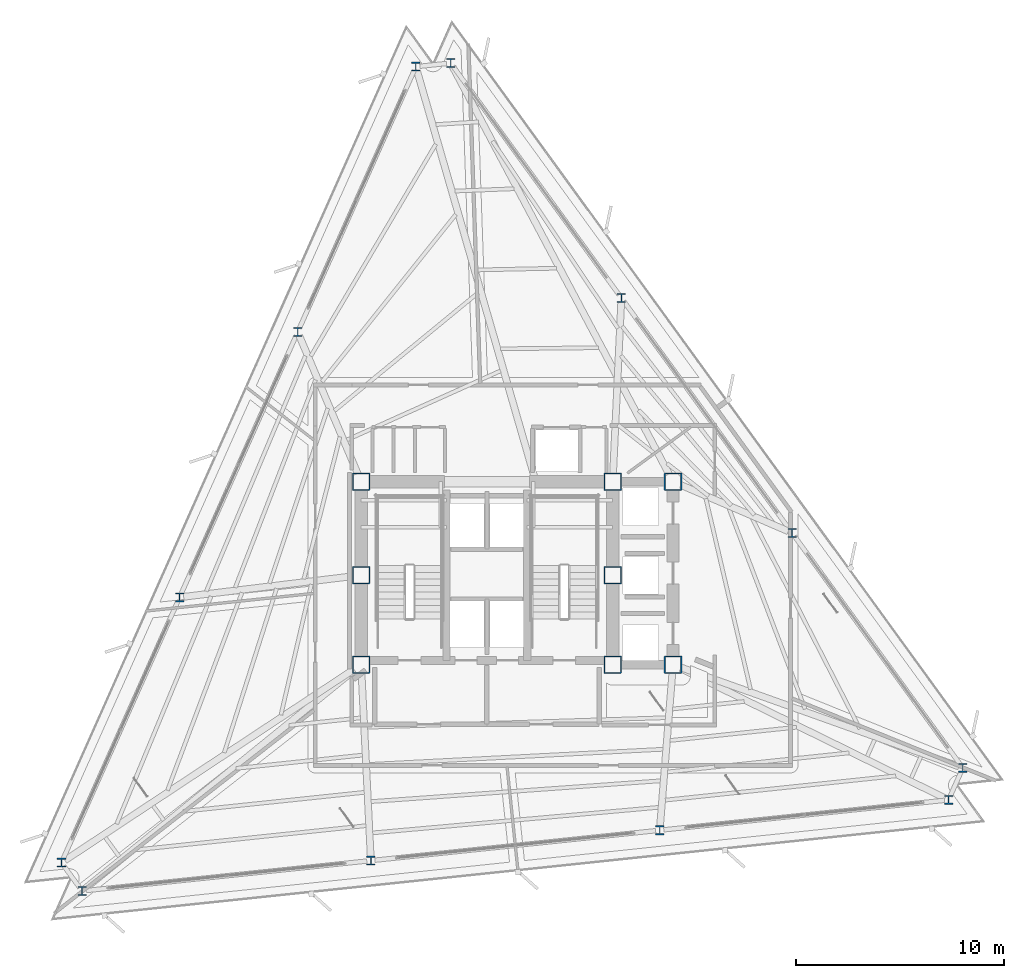
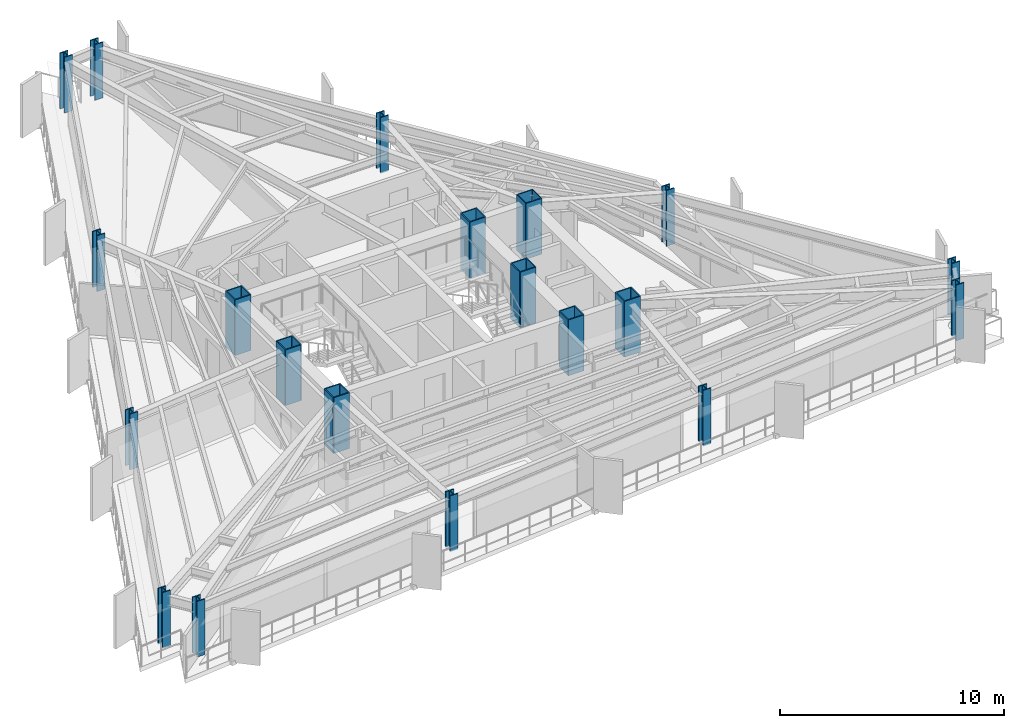
# One storey, part 1 of 12: 20 columns.
"""IFC4 building model written with IfcOpenShell, lengths in metres."""

import ifcopenshell
import ifcopenshell.guid

model = None  # the IFC model being written
_history = None  # IfcOwnerHistory: only IFC2X3 demands one
_inside = {}  # id of a spatial element -> (the spatial element, [elements in it])
_under = {}  # id of a project, library or spatial element -> (it, [spatial elements below it])
_declared = {}  # id of a project -> (the project, [libraries it declares])
_typed = {}  # id of a type object -> (the type object, [elements of that type])
_made_of = {}  # id of a material, layer set ... -> (it, [elements and type objects made of it])


def new_model(schema):
    """Start an empty IFC model of exactly this schema.

    Asked for "IFC4X3", IfcOpenShell would pick the latest addendum, in which some entities
    have other attributes; the version numbers below select the first issue.
    IFC2X3 requires an IfcOwnerHistory on every rooted entity: one is made here for all.
    """
    global model, _history
    if schema == "IFC4X3":
        model = ifcopenshell.file(schema_version=(4, 3, 0, 0))
    else:
        model = ifcopenshell.file(schema=schema)
    _inside.clear()
    _under.clear()
    _declared.clear()
    _typed.clear()
    _made_of.clear()
    _history = None
    if model.schema == "IFC2X3":
        org = make("IfcOrganization", Name="unknown")
        user = make(
            "IfcPersonAndOrganization",
            ThePerson=make("IfcPerson", FamilyName="unknown"),
            TheOrganization=org,
        )
        app = make(
            "IfcApplication",
            ApplicationDeveloper=org,
            Version="unknown",
            ApplicationFullName="unknown",
            ApplicationIdentifier="unknown",
        )
        _history = make(
            "IfcOwnerHistory",
            OwningUser=user,
            OwningApplication=app,
            ChangeAction="ADDED",
            CreationDate=0,
        )
    return model


def make(cls, **values):
    """One entity of the class cls with the attributes given. An attribute that is None is left unset."""
    return model.create_entity(
        cls, **{name: value for name, value in values.items() if value is not None}
    )


def rooted(cls, **values):
    """An entity with a GlobalId (a new one), such as an element, a storey or a relation."""
    return make(cls, GlobalId=ifcopenshell.guid.new(), OwnerHistory=_history, **values)


def si_unit(unit_type, name, prefix=None):
    """IfcSIUnit, for example si_unit("LENGTHUNIT", "METRE", prefix="MILLI")."""
    return make("IfcSIUnit", UnitType=unit_type, Prefix=prefix, Name=name)


def assignment(units):
    """IfcUnitAssignment: the units of a project."""
    return None if units is None else make("IfcUnitAssignment", Units=units)


def point(xyz):
    """IfcCartesianPoint."""
    return None if xyz is None else make("IfcCartesianPoint", Coordinates=xyz)


def direction(xyz):
    """IfcDirection."""
    return None if xyz is None else make("IfcDirection", DirectionRatios=xyz)


def frame(location, z_axis=None, x_axis=None):
    """IfcAxis2Placement3D, a coordinate frame: its origin and axes. An axis left out is left unset."""
    return make(
        "IfcAxis2Placement3D",
        Location=point(location),
        Axis=direction(z_axis),
        RefDirection=direction(x_axis),
    )


def frame_2d(location, x_axis=None):
    """IfcAxis2Placement2D, a coordinate frame in the plane: its origin and x axis."""
    return make(
        "IfcAxis2Placement2D", Location=point(location), RefDirection=direction(x_axis)
    )


def origin():
    """The frame at (0, 0, 0) with its axes left unset."""
    return frame((0.0, 0.0, 0.0))


def origin_2d():
    """The frame at (0, 0) in the plane with its x axis left unset."""
    return frame_2d((0.0, 0.0))


def place(relative_to, where):
    """IfcLocalPlacement: puts the frame where relative to a parent placement (None: the world)."""
    return make(
        "IfcLocalPlacement", PlacementRelTo=relative_to, RelativePlacement=where
    )


def context(
    kind, dimensions, precision=None, world=None, true_north=None, identifier=None
):
    """IfcGeometricRepresentationContext, for example the 3D "Model" context."""
    return make(
        "IfcGeometricRepresentationContext",
        ContextIdentifier=identifier,
        ContextType=kind,
        CoordinateSpaceDimension=dimensions,
        Precision=precision,
        WorldCoordinateSystem=world,
        TrueNorth=true_north,
    )


def subcontext(parent, identifier, kind, view, scale=None):
    """IfcGeometricRepresentationSubContext, for example "Body" below "Model"."""
    return make(
        "IfcGeometricRepresentationSubContext",
        ContextIdentifier=identifier,
        ContextType=kind,
        ParentContext=parent,
        TargetScale=scale,
        TargetView=view,
    )


def project(units=None, contexts=None):
    """IfcProject with its units and contexts."""
    return rooted(
        "IfcProject",
        Name="project",
        RepresentationContexts=contexts,
        UnitsInContext=assignment(units),
    )


def spatial(cls, under=None, at=None, **own):
    """A site, building, storey or space (cls), placed at a placement, below another one or the project."""
    s = rooted(cls, ObjectPlacement=at, **own)
    if under is not None:
        _under.setdefault(under.id(), (under, []))[1].append(s)
    return s


def profile(cls, at=None, kind="AREA", **sizes):
    """A parametric profile (cls). Its sizes go by their IFC names, for example OverallWidth=200.0."""
    return make(cls, ProfileType=kind, Position=at, **sizes)


def hollow_rectangle(**sizes):
    """IfcRectangleHollowProfileDef."""
    return profile("IfcRectangleHollowProfileDef", **sizes)


def i_section(**sizes):
    """IfcIShapeProfileDef."""
    return profile("IfcIShapeProfileDef", **sizes)


def extrude(swept, where, along, depth):
    """IfcExtrudedAreaSolid: the profile swept, set in the frame where, extruded along a direction by depth."""
    return make(
        "IfcExtrudedAreaSolid",
        SweptArea=swept,
        Position=where,
        ExtrudedDirection=direction(along),
        Depth=depth,
    )


def shape(context_of_items, identifier, shape_type, items):
    """IfcShapeRepresentation: the items that make up one representation, for example the "Body"."""
    return make(
        "IfcShapeRepresentation",
        ContextOfItems=context_of_items,
        RepresentationIdentifier=identifier,
        RepresentationType=shape_type,
        Items=items,
    )


def material(Name=None, Category=None):
    """IfcMaterial."""
    return make("IfcMaterial", Name=Name, Category=Category)


def material_profile(
    of_material, cross_section, Name=None, Category=None, Priority=None
):
    """IfcMaterialProfile: a cross section and its material."""
    return make(
        "IfcMaterialProfile",
        Name=Name,
        Material=of_material,
        Profile=cross_section,
        Priority=Priority,
        Category=Category,
    )


def profile_set(profiles, Name=None, composite=None):
    """IfcMaterialProfileSet."""
    return make(
        "IfcMaterialProfileSet",
        Name=Name,
        MaterialProfiles=profiles,
        CompositeProfile=composite,
    )


def made_of(thing, what):
    """Note that an element or type object is made of a material, layer set ...; save() writes the relation."""
    if what is not None:
        _made_of.setdefault(what.id(), (what, []))[1].append(thing)
    return thing


def type_object(cls, material=None, **own):
    """A type object (cls), such as IfcWallType, which elements share."""
    return made_of(rooted(cls, **own), material)


def element(
    cls,
    number,
    at=None,
    inside=None,
    cuts=None,
    type_object=None,
    material=None,
    context=None,
    identifier="Body",
    shape_type=None,
    held_by="IfcProductDefinitionShape",
    body=None,
    shapes=None,
    **own,
):
    """One element of the class cls, such as IfcWall. Its Tag is "e" and its number.

    at: its placement. inside: the storey or other place that contains it. cuts: it is an
    opening in that element (IfcRelVoidsElement). A single representation is given by context,
    identifier, shape_type and body (its items); several are given by shapes. held_by: the class
    of the entity that holds the representations. save() writes the other relations.
    """
    e = rooted(cls, Tag="e%d" % number, ObjectPlacement=at, **own)
    if body is not None:
        shapes = [shape(context, identifier, shape_type, body)]
    if shapes is not None:
        e.Representation = make(held_by, Representations=shapes)
    if inside is not None:
        _inside.setdefault(inside.id(), (inside, []))[1].append(e)
    if cuts is not None:
        rooted(
            "IfcRelVoidsElement", RelatingBuildingElement=cuts, RelatedOpeningElement=e
        )
    if type_object is not None:
        _typed.setdefault(type_object.id(), (type_object, []))[1].append(e)
    return made_of(e, material)


def aggregate(whole, parts):
    """IfcRelAggregates: a whole, such as a stair, and the parts it consists of."""
    return rooted("IfcRelAggregates", RelatingObject=whole, RelatedObjects=parts)


def save(model, path):
    """Write the relations noted so far, then the file.

    IfcRelAggregates (storeys below a building ...), IfcRelContainedInSpatialStructure (elements
    in a storey), IfcRelDefinesByType, IfcRelAssociatesMaterial and IfcRelDeclares: one each for
    every whole, place, type object, material and project.
    """
    for whole, parts in _under.values():
        aggregate(whole, parts)
    for where, things in _inside.values():
        rooted(
            "IfcRelContainedInSpatialStructure",
            RelatedElements=things,
            RelatingStructure=where,
        )
    for kind, things in _typed.values():
        rooted("IfcRelDefinesByType", RelatedObjects=things, RelatingType=kind)
    for what, things in _made_of.values():
        rooted("IfcRelAssociatesMaterial", RelatedObjects=things, RelatingMaterial=what)
    for by, libraries in _declared.values():
        rooted("IfcRelDeclares", RelatingContext=by, RelatedDefinitions=libraries)
    model.write(path)


model = new_model("IFC4")

# Units and contexts
model_context = context("Model", 3, precision=1e-05, world=origin(), true_north=direction((0.0, 1.0)))
body_context = subcontext(model_context, "Body", "Model", "MODEL_VIEW")
ifc_project = project(units=[si_unit("LENGTHUNIT", "METRE"), si_unit("AREAUNIT", "SQUARE_METRE"), si_unit("VOLUMEUNIT", "CUBIC_METRE"), si_unit("PLANEANGLEUNIT", "RADIAN"), si_unit("MASSUNIT", "GRAM", prefix="KILO")], contexts=[model_context])

# Site, building, storey
site_placement = place(None, origin())
site = spatial("IfcSite", under=ifc_project, at=site_placement, CompositionType="ELEMENT")
building_placement = place(site_placement, origin())
building = spatial("IfcBuilding", under=site, at=building_placement, Name="Rocaltana Carrier Exchange", CompositionType="ELEMENT")
storey_placement = place(building_placement, frame((0.0, 0.0, 107.679931640625)))
storey = spatial("IfcBuildingStorey", under=building, at=storey_placement, Name="L33", CompositionType="ELEMENT", Elevation=107.679931640625)

# Columns
ifc_material_1 = material(Name="Steel S460", Category="steel")
ifc_material_profile_1 = material_profile(ifc_material_1, hollow_rectangle(XDim=0.85009765625, YDim=0.85009765625, WallThickness=0.054931640625, InnerFilletRadius=0.02001953125, OuterFilletRadius=0.0400390625, at=origin_2d()), Name="BOX850X850X55")
ifc_profile_set_1 = profile_set([ifc_material_profile_1], Name="Steel S460")
column_type_1 = type_object("IfcColumnType", Name="Core Mega-Column BOX850", PredefinedType="COLUMN", material=ifc_profile_set_1)
for number, where, z_axis, x_axis, name in (
    (1, (-6.050048828125, 4.5, 0.0), (0.0, 0.0, 1.0), (1.0, 0.0, 0.0), "L33 Core Mega-Column MC1"),
    (2, (6.050048828125, 4.5, 0.0), (0.0, 0.0, 1.0), (1.0, 0.0, 0.0), "L33 Core Mega-Column MC2"),
    (3, (-6.050048828125, 0.0, 0.0), (0.0, 0.0, 1.0), (1.0, 0.0, 0.0), "L33 Core Mega-Column MC3"),
    (4, (6.050048828125, 0.0, 0.0), (0.0, 0.0, 1.0), (1.0, 0.0, 0.0), "L33 Core Mega-Column MC4"),
    (5, (-6.050048828125, -4.300048828125, 0.0), (0.0, 0.0, 1.0), (1.0, 0.0, 0.0), "L33 Core Mega-Column MC5"),
    (6, (6.050048828125, -4.300048828125, 0.0), (0.0, 0.0, 1.0), (1.0, 0.0, 0.0), "L33 Core Mega-Column MC6"),
    (7, (8.949951171875, 4.5, 0.0), (0.0, 0.0, 1.0), (1.0, 0.0, 0.0), "L33 East Core Column EC1"),
    (8, (8.949951171875, -4.300048828125, 0.0), (0.0, 0.0, 1.0), (1.0, 0.0, 0.0), "L33 East Core Column EC2"),
):
    element("IfcColumn", number, at=place(storey_placement, frame(where, z_axis=z_axis, x_axis=x_axis)), inside=storey, type_object=column_type_1, Name=name, PredefinedType="COLUMN", context=body_context, shape_type="SweptSolid", body=[
        extrude(hollow_rectangle(XDim=0.85009765625, YDim=0.85009765625, WallThickness=0.054931640625, InnerFilletRadius=0.02001953125, OuterFilletRadius=0.0400390625, at=origin_2d()), origin(), (0.0, 0.0, 1.0), 3.0400390625),
    ])
ifc_material_2 = material(Name="Steel S460", Category="steel")
ifc_material_profile_2 = material_profile(ifc_material_2, i_section(OverallWidth=0.412109375, OverallDepth=0.43505859375, WebThickness=0.035888671875, FlangeThickness=0.057373046875, FilletRadius=0.02197265625, at=origin_2d()), Name="W14X311")
ifc_profile_set_2 = profile_set([ifc_material_profile_2], Name="Steel S460")
column_type_2 = type_object("IfcColumnType", Name="Perimeter Column W14X311", PredefinedType="COLUMN", material=ifc_profile_set_2)
for number, where, z_axis, x_axis, name in (
    (9, (22.88671875, -9.267578125, 0.0), (0.0, 0.0, 1.0), (1.0, 0.0, 0.0), "L33 Perimeter Column TC01"),
    (10, (14.67724609375, 2.03173828125, 0.0), (0.0, 0.0, 1.0), (1.0, 0.0, 0.0), "L33 Perimeter Column TC02"),
    (11, (6.4677734375, 13.3310546875, 0.0), (0.0, 0.0, 1.0), (1.0, 0.0, 0.0), "L33 Perimeter Column TC03"),
    (12, (-1.74169921875, 24.63037109375, 0.0), (0.0, 0.0, 1.0), (1.0, 0.0, 0.0), "L33 Perimeter Column TC04"),
    (13, (-3.417236328125, 24.4541015625, 0.0), (0.0, 0.0, 1.0), (1.0, 0.0, 0.0), "L33 Perimeter Column TC05"),
    (14, (-9.09814453125, 11.69482421875, 0.0), (0.0, 0.0, 1.0), (1.0, 0.0, 0.0), "L33 Perimeter Column TC06"),
    (15, (-14.77880859375, -1.064208984375, 0.0), (0.0, 0.0, 1.0), (1.0, 0.0, 0.0), "L33 Perimeter Column TC07"),
    (16, (-20.459716796875, -13.823486328125, 0.0), (0.0, 0.0, 1.0), (1.0, 0.0, 0.0), "L33 Perimeter Column TC08"),
    (17, (-19.46923828125, -15.1865234375, 0.0), (0.0, 0.0, 1.0), (1.0, 0.0, 0.0), "L33 Perimeter Column TC09"),
    (18, (-5.5791015625, -13.726806640625, 0.0), (0.0, 0.0, 1.0), (1.0, 0.0, 0.0), "L33 Perimeter Column TC10"),
    (19, (8.31103515625, -12.2666015625, 0.0), (0.0, 0.0, 1.0), (1.0, 0.0, 0.0), "L33 Perimeter Column TC11"),
    (20, (22.201171875, -10.806884765625, 0.0), (0.0, 0.0, 1.0), (1.0, 0.0, 0.0), "L33 Perimeter Column TC12"),
):
    element("IfcColumn", number, at=place(storey_placement, frame(where, z_axis=z_axis, x_axis=x_axis)), inside=storey, type_object=column_type_2, Name=name, PredefinedType="COLUMN", context=body_context, shape_type="SweptSolid", body=[
        extrude(i_section(OverallWidth=0.412109375, OverallDepth=0.43505859375, WebThickness=0.035888671875, FlangeThickness=0.057373046875, FilletRadius=0.02197265625, at=origin_2d()), origin(), (0.0, 0.0, 1.0), 3.0400390625),
    ])

save(model, "model.ifc")
